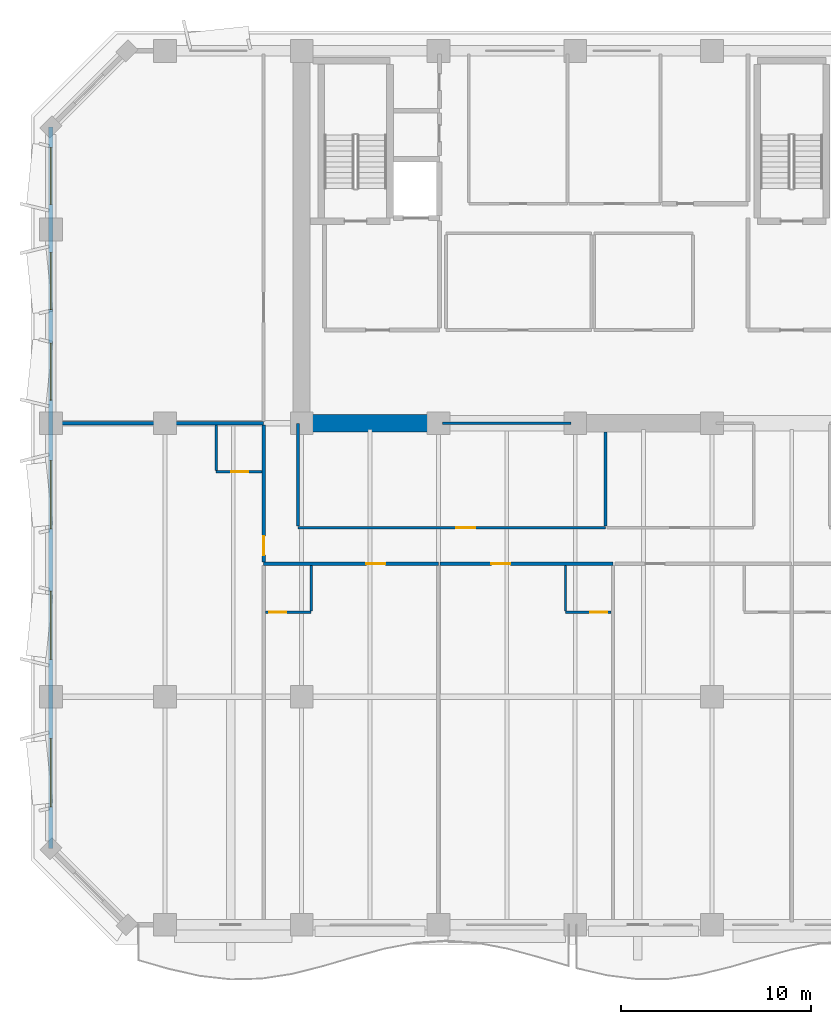
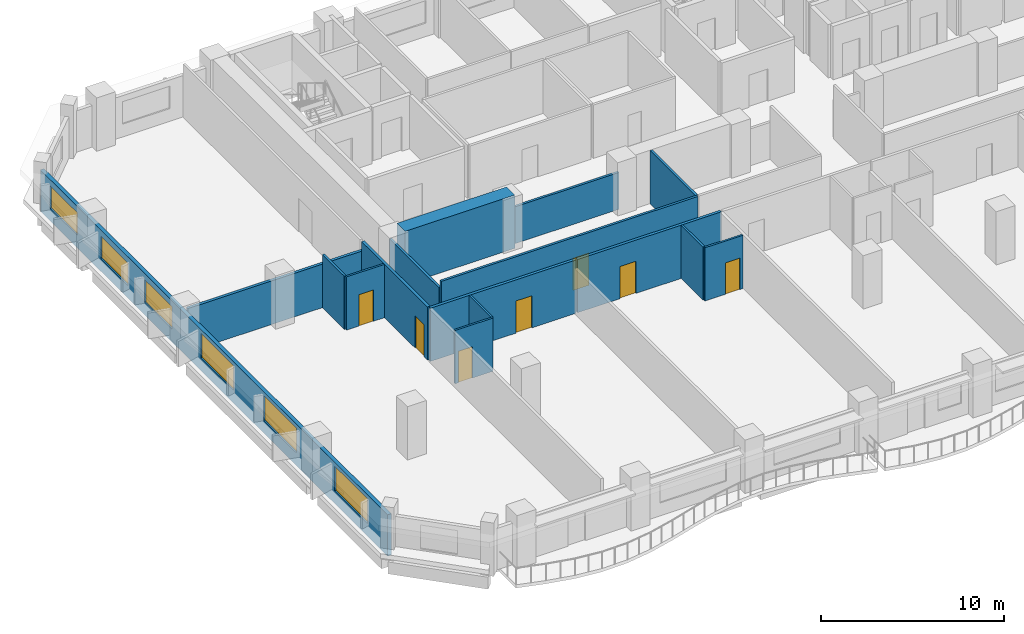
# One storey, part 4 of 14: 16 walls, 7 doors, 6 windows, 13 openings.
"""IFC4 building model written with IfcOpenShell, lengths in metres."""

from ifc_helpers import new_model, si_unit, direction, frame, frame_2d, origin, place, context, subcontext, project, spatial, rectangle, extrude, material, layer, layer_set, type_object, element, fill, save


model = new_model("IFC4")

# Units and contexts
model_context = context("Model", 3, precision=1e-05, world=origin(), true_north=direction((0.0, 1.0)))
body_context = subcontext(model_context, "Body", "Model", "MODEL_VIEW")
ifc_project = project(units=[si_unit("LENGTHUNIT", "METRE"), si_unit("AREAUNIT", "SQUARE_METRE"), si_unit("VOLUMEUNIT", "CUBIC_METRE"), si_unit("PLANEANGLEUNIT", "RADIAN"), si_unit("MASSUNIT", "GRAM", prefix="KILO")], contexts=[model_context])

# Site, building, storey
site_placement = place(None, origin())
site = spatial("IfcSite", under=ifc_project, at=site_placement, CompositionType="ELEMENT")
building_placement = place(site_placement, origin())
building = spatial("IfcBuilding", under=site, at=building_placement, Name="Kaelvorn Grand Hotel", CompositionType="ELEMENT")
storey_placement = place(building_placement, frame((0.0, 0.0, 190.14990234375)))
storey = spatial("IfcBuildingStorey", under=building, at=storey_placement, Name="L46", CompositionType="ELEMENT", Elevation=190.14990234375)

# Wall
ifc_material_1 = material(Name="Concrete C60/75", Category="concrete")
ifc_layer_1 = layer(ifc_material_1, 0.89990234375)
ifc_layer_set_1 = layer_set([ifc_layer_1], Name="Concrete C60/75")
wall_type_1 = type_object("IfcWallType", Name="WL-CORE-900-C60", PredefinedType="SHEAR", material=ifc_layer_set_1)
wall_1_placement = place(storey_placement, frame((16.655029296875, 29.39990234375, 0.0), z_axis=(0.0, 0.0, 1.0), x_axis=(1.0, 0.0, 0.0)))
element("IfcWall", 1, at=wall_1_placement, inside=storey, type_object=wall_type_1, Name="L46 Rear-Core Coupled Shear Pier S1", PredefinedType="SHEAR", context=body_context, shape_type="SweptSolid", body=[
    extrude(rectangle(XDim=6.945068359375, YDim=0.89990234375, at=frame_2d((3.47265625, 0.0))), origin(), (0.0, 0.0, 1.0), 3.56005859375),
])

# Wall, openings, windows
ifc_material_2 = material(Name="Concrete C40/50", Category="concrete")
ifc_layer_2 = layer(ifc_material_2, 0.239990234375)
ifc_layer_set_2 = layer_set([ifc_layer_2], Name="Concrete C40/50")
wall_type_2 = type_object("IfcWallType", Name="WL-EXT-240-C40", PredefinedType="SOLIDWALL", material=ifc_layer_set_2)
wall_2_placement = place(storey_placement, frame((3.0, 45.0, 0.0), z_axis=(0.0, 0.0, 1.0), x_axis=(0.0, -1.0, 0.0)))
wall_2 = element("IfcWall", 2, at=wall_2_placement, inside=storey, type_object=wall_type_2, Name="L46 Exterior Architectural Concrete Wall 07", PredefinedType="SOLIDWALL", context=body_context, shape_type="SweptSolid", body=[
    extrude(rectangle(XDim=38.0, YDim=0.239990234375, at=frame_2d((19.0, 0.0))), origin(), (0.0, 0.0, 1.0), 2.760009765625),
])
opening_1_placement = place(wall_2_placement, frame((32.199951171875, 0.0, 0.85009765625)))
opening_1 = element("IfcOpeningElement", 3, at=opening_1_placement, cuts=wall_2, Name="Opening W3", PredefinedType="OPENING", context=body_context, shape_type="SweptSolid", body=[
    extrude(rectangle(XDim=3.60009765625, YDim=1.64990234375, at=frame_2d((1.800048828125, 0.824951171875))), frame((0.0, 0.1298828125, 0.0), z_axis=(0.0, -1.0, 0.0), x_axis=(1.0, 0.0, 0.0)), (0.0, 0.0, 1.0), 0.260009765625),
])
opening_2_placement = place(wall_2_placement, frame((24.43505859375, 0.0, 0.85009765625)))
opening_2 = element("IfcOpeningElement", 4, at=opening_2_placement, cuts=wall_2, Name="Opening W3", PredefinedType="OPENING", context=body_context, shape_type="SweptSolid", body=[
    extrude(rectangle(XDim=3.60009765625, YDim=1.64990234375, at=frame_2d((1.800048828125, 0.824951171875))), frame((0.0, 0.1298828125, 0.0), z_axis=(0.0, -1.0, 0.0), x_axis=(1.0, 0.0, 0.0)), (0.0, 0.0, 1.0), 0.260009765625),
])
opening_3_placement = place(wall_2_placement, frame((17.56494140625, 0.0, 0.85009765625)))
opening_3 = element("IfcOpeningElement", 5, at=opening_3_placement, cuts=wall_2, Name="Opening W3", PredefinedType="OPENING", context=body_context, shape_type="SweptSolid", body=[
    extrude(rectangle(XDim=3.60009765625, YDim=1.64990234375, at=frame_2d((1.800048828125, 0.824951171875))), frame((0.0, 0.1298828125, 0.0), z_axis=(0.0, -1.0, 0.0), x_axis=(1.0, 0.0, 0.0)), (0.0, 0.0, 1.0), 0.260009765625),
])
opening_4_placement = place(wall_2_placement, frame((11.385009765625, 0.0, 0.85009765625)))
opening_4 = element("IfcOpeningElement", 6, at=opening_4_placement, cuts=wall_2, Name="Opening W5", PredefinedType="OPENING", context=body_context, shape_type="SweptSolid", body=[
    extrude(rectangle(XDim=3.0, YDim=1.5, at=frame_2d((1.5, 0.75))), frame((0.0, 0.1298828125, 0.0), z_axis=(0.0, -1.0, 0.0), x_axis=(1.0, 0.0, 0.0)), (0.0, 0.0, 1.0), 0.260009765625),
])
opening_5_placement = place(wall_2_placement, frame((6.614990234375, 0.0, 0.85009765625)))
opening_5 = element("IfcOpeningElement", 7, at=opening_5_placement, cuts=wall_2, Name="Opening W5", PredefinedType="OPENING", context=body_context, shape_type="SweptSolid", body=[
    extrude(rectangle(XDim=3.0, YDim=1.5, at=frame_2d((1.5, 0.75))), frame((0.0, 0.1298828125, 0.0), z_axis=(0.0, -1.0, 0.0), x_axis=(1.0, 0.0, 0.0)), (0.0, 0.0, 1.0), 0.260009765625),
])
opening_6_placement = place(wall_2_placement, frame((1.0849609375, 0.0, 0.85009765625)))
opening_6 = element("IfcOpeningElement", 8, at=opening_6_placement, cuts=wall_2, Name="Opening W5", PredefinedType="OPENING", context=body_context, shape_type="SweptSolid", body=[
    extrude(rectangle(XDim=3.0, YDim=1.5, at=frame_2d((1.5, 0.75))), frame((0.0, 0.1298828125, 0.0), z_axis=(0.0, -1.0, 0.0), x_axis=(1.0, 0.0, 0.0)), (0.0, 0.0, 1.0), 0.260009765625),
])
ifc_material_3 = material(Name="Laminated Low-E Glass", Category="glass")
window_type_1 = type_object("IfcWindowType", Name="WIN-NTH-3000x1500", PartitioningType="SINGLE_PANEL", PredefinedType="WINDOW", material=ifc_material_3)
window_1_placement = place(opening_4_placement, origin())
window_1 = element("IfcWindow", 9, at=window_1_placement, inside=storey, type_object=window_type_1, Name="L46 W Wing Tilted-Frame Ribbon Window W04", OverallHeight=1.5, OverallWidth=3.0, PartitioningType="SINGLE_PANEL", PredefinedType="WINDOW", context=body_context, shape_type="SweptSolid", body=[
    extrude(rectangle(XDim=3.0, YDim=1.5, at=frame_2d((1.5, 0.75))), frame((0.0, 0.030029296875, 0.0), z_axis=(0.0, -1.0, 0.0), x_axis=(1.0, 0.0, 0.0)), (0.0, 0.0, 1.0), 0.06005859375),
])
fill(opening_4, window_1)
window_2_placement = place(opening_5_placement, origin())
window_2 = element("IfcWindow", 10, at=window_2_placement, inside=storey, type_object=window_type_1, Name="L46 W Wing Tilted-Frame Ribbon Window W05", OverallHeight=1.5, OverallWidth=3.0, PartitioningType="SINGLE_PANEL", PredefinedType="WINDOW", context=body_context, shape_type="SweptSolid", body=[
    extrude(rectangle(XDim=3.0, YDim=1.5, at=frame_2d((1.5, 0.75))), frame((0.0, 0.030029296875, 0.0), z_axis=(0.0, -1.0, 0.0), x_axis=(1.0, 0.0, 0.0)), (0.0, 0.0, 1.0), 0.06005859375),
])
fill(opening_5, window_2)
window_3_placement = place(opening_6_placement, origin())
window_3 = element("IfcWindow", 11, at=window_3_placement, inside=storey, type_object=window_type_1, Name="L46 W Wing Tilted-Frame Ribbon Window W06", OverallHeight=1.5, OverallWidth=3.0, PartitioningType="SINGLE_PANEL", PredefinedType="WINDOW", context=body_context, shape_type="SweptSolid", body=[
    extrude(rectangle(XDim=3.0, YDim=1.5, at=frame_2d((1.5, 0.75))), frame((0.0, 0.030029296875, 0.0), z_axis=(0.0, -1.0, 0.0), x_axis=(1.0, 0.0, 0.0)), (0.0, 0.0, 1.0), 0.06005859375),
])
fill(opening_6, window_3)
window_type_2 = type_object("IfcWindowType", Name="WIN-RIB-3600x1750", PartitioningType="SINGLE_PANEL", PredefinedType="WINDOW", material=ifc_material_3)
window_4_placement = place(opening_1_placement, origin())
window_4 = element("IfcWindow", 12, at=window_4_placement, inside=storey, type_object=window_type_2, Name="L46 W Wing Tilted-Frame Ribbon Window W01", OverallHeight=1.64990234375, OverallWidth=3.60009765625, PartitioningType="SINGLE_PANEL", PredefinedType="WINDOW", context=body_context, shape_type="SweptSolid", body=[
    extrude(rectangle(XDim=3.60009765625, YDim=1.64990234375, at=frame_2d((1.800048828125, 0.824951171875))), frame((0.0, 0.030029296875, 0.0), z_axis=(0.0, -1.0, 0.0), x_axis=(1.0, 0.0, 0.0)), (0.0, 0.0, 1.0), 0.06005859375),
])
fill(opening_1, window_4)
window_5_placement = place(opening_2_placement, origin())
window_5 = element("IfcWindow", 13, at=window_5_placement, inside=storey, type_object=window_type_2, Name="L46 W Wing Tilted-Frame Ribbon Window W02", OverallHeight=1.64990234375, OverallWidth=3.60009765625, PartitioningType="SINGLE_PANEL", PredefinedType="WINDOW", context=body_context, shape_type="SweptSolid", body=[
    extrude(rectangle(XDim=3.60009765625, YDim=1.64990234375, at=frame_2d((1.800048828125, 0.824951171875))), frame((0.0, 0.030029296875, 0.0), z_axis=(0.0, -1.0, 0.0), x_axis=(1.0, 0.0, 0.0)), (0.0, 0.0, 1.0), 0.06005859375),
])
fill(opening_2, window_5)
window_6_placement = place(opening_3_placement, origin())
window_6 = element("IfcWindow", 14, at=window_6_placement, inside=storey, type_object=window_type_2, Name="L46 W Wing Tilted-Frame Ribbon Window W03", OverallHeight=1.64990234375, OverallWidth=3.60009765625, PartitioningType="SINGLE_PANEL", PredefinedType="WINDOW", context=body_context, shape_type="SweptSolid", body=[
    extrude(rectangle(XDim=3.60009765625, YDim=1.64990234375, at=frame_2d((1.800048828125, 0.824951171875))), frame((0.0, 0.030029296875, 0.0), z_axis=(0.0, -1.0, 0.0), x_axis=(1.0, 0.0, 0.0)), (0.0, 0.0, 1.0), 0.06005859375),
])
fill(opening_3, window_6)

# Wall, opening, door
ifc_material_4 = material(Name="Moisture-Resistant Tile & Stud Board")
ifc_layer_3 = layer(ifc_material_4, 0.125)
ifc_layer_set_3 = layer_set([ifc_layer_3], Name="Moisture-Resistant Tile & Stud Board")
wall_type_3 = type_object("IfcWallType", Name="WL-PART-125-WET", PredefinedType="PARTITIONING", material=ifc_layer_set_3)
wall_3_placement = place(storey_placement, frame((14.294921875, 19.449951171875, 0.0), z_axis=(0.0, 0.0, 1.0), x_axis=(1.0, 0.0, 0.0)))
wall_3 = element("IfcWall", 15, at=wall_3_placement, inside=storey, type_object=wall_type_3, Name="L46 En-suite Bathroom L46-01 S Partition", PredefinedType="PARTITIONING", context=body_context, shape_type="SweptSolid", body=[
    extrude(rectangle(XDim=2.405029296875, YDim=0.125, at=frame_2d((1.20263671875, 0.0))), origin(), (0.0, 0.0, 1.0), 3.56005859375),
])
opening_7_placement = place(wall_3_placement, frame((0.205078125, 0.0, 0.0)))
opening_7 = element("IfcOpeningElement", 16, at=opening_7_placement, cuts=wall_3, Name="Opening DI4", PredefinedType="OPENING", context=body_context, shape_type="SweptSolid", body=[
    extrude(rectangle(XDim=0.89990234375, YDim=2.10009765625, at=frame_2d((0.449951171875, 1.050048828125))), frame((0.0, 0.072509765625, 0.0), z_axis=(0.0, -1.0, 0.0), x_axis=(1.0, 0.0, 0.0)), (0.0, 0.0, 1.0), 0.14501953125),
])
ifc_material_5 = material(Name="Timber Veneer Leaf", Category="wood")
door_type_1 = type_object("IfcDoorType", Name="DR-INT-BATH-900x2100", OperationType="NOTDEFINED", PredefinedType="DOOR", material=ifc_material_5)
door_1_placement = place(opening_7_placement, origin())
door_1 = element("IfcDoor", 17, at=door_1_placement, inside=storey, type_object=door_type_1, Name="L46 En-suite Bathroom L46-01 Door", OperationType="SINGLE_SWING_RIGHT", OverallHeight=2.10009765625, OverallWidth=0.89990234375, PredefinedType="DOOR", context=body_context, shape_type="SweptSolid", body=[
    extrude(rectangle(XDim=0.89990234375, YDim=2.10009765625, at=frame_2d((0.449951171875, 1.050048828125))), frame((0.0, 0.02490234375, 0.0), z_axis=(0.0, -1.0, 0.0), x_axis=(1.0, 0.0, 0.0)), (0.0, 0.0, 1.0), 0.050048828125),
])
fill(opening_7, door_1)

# Wall
wall_4_placement = place(storey_placement, frame((16.699951171875, 19.517578125, 0.0), z_axis=(0.0, 0.0, 1.0), x_axis=(0.0, 1.0, 0.0)))
element("IfcWall", 18, at=wall_4_placement, inside=storey, type_object=wall_type_3, Name="L46 En-suite Bathroom L46-01 E Partition", PredefinedType="PARTITIONING", context=body_context, shape_type="SweptSolid", body=[
    extrude(rectangle(XDim=2.387451171875, YDim=0.125, at=frame_2d((1.19384765625, 0.0))), origin(), (0.0, 0.0, 1.0), 3.56005859375),
])

# Wall, opening, door
wall_5_placement = place(storey_placement, frame((30.0908203125, 19.449951171875, 0.0), z_axis=(0.0, 0.0, 1.0), x_axis=(1.0, 0.0, 0.0)))
wall_5 = element("IfcWall", 19, at=wall_5_placement, inside=storey, type_object=wall_type_3, Name="L46 En-suite Bathroom L46-02 S Partition", PredefinedType="PARTITIONING", context=body_context, shape_type="SweptSolid", body=[
    extrude(rectangle(XDim=2.405029296875, YDim=0.125, at=frame_2d((1.20263671875, 0.0))), origin(), (0.0, 0.0, 1.0), 3.56005859375),
])
opening_8_placement = place(wall_5_placement, frame((1.300048828125, 0.0, 0.0)))
opening_8 = element("IfcOpeningElement", 20, at=opening_8_placement, cuts=wall_5, Name="Opening DI4", PredefinedType="OPENING", context=body_context, shape_type="SweptSolid", body=[
    extrude(rectangle(XDim=0.89990234375, YDim=2.10009765625, at=frame_2d((0.449951171875, 1.050048828125))), frame((0.0, 0.072509765625, 0.0), z_axis=(0.0, -1.0, 0.0), x_axis=(1.0, 0.0, 0.0)), (0.0, 0.0, 1.0), 0.14501953125),
])
door_2_placement = place(opening_8_placement, origin())
door_2 = element("IfcDoor", 21, at=door_2_placement, inside=storey, type_object=door_type_1, Name="L46 En-suite Bathroom L46-02 Door", OperationType="SINGLE_SWING_RIGHT", OverallHeight=2.10009765625, OverallWidth=0.89990234375, PredefinedType="DOOR", context=body_context, shape_type="SweptSolid", body=[
    extrude(rectangle(XDim=0.89990234375, YDim=2.10009765625, at=frame_2d((0.449951171875, 1.050048828125))), frame((0.0, 0.02490234375, 0.0), z_axis=(0.0, -1.0, 0.0), x_axis=(1.0, 0.0, 0.0)), (0.0, 0.0, 1.0), 0.050048828125),
])
fill(opening_8, door_2)

# Wall
wall_6_placement = place(storey_placement, frame((30.0908203125, 19.517578125, 0.0), z_axis=(0.0, 0.0, 1.0), x_axis=(0.0, 1.0, 0.0)))
element("IfcWall", 22, at=wall_6_placement, inside=storey, type_object=wall_type_3, Name="L46 En-suite Bathroom L46-02 W Partition", PredefinedType="PARTITIONING", context=body_context, shape_type="SweptSolid", body=[
    extrude(rectangle(XDim=2.387451171875, YDim=0.125, at=frame_2d((1.19384765625, 0.0))), origin(), (0.0, 0.0, 1.0), 3.56005859375),
])

# Wall, opening, door
wall_7_placement = place(storey_placement, frame((11.699951171875, 26.85009765625, 0.0), z_axis=(0.0, 0.0, 1.0), x_axis=(1.0, 0.0, 0.0)))
wall_7 = element("IfcWall", 23, at=wall_7_placement, inside=storey, type_object=wall_type_3, Name="L46 En-suite Bathroom L46-07 S Partition", PredefinedType="PARTITIONING", context=body_context, shape_type="SweptSolid", body=[
    extrude(rectangle(XDim=2.405029296875, YDim=0.125, at=frame_2d((1.20263671875, 0.0))), origin(), (0.0, 0.0, 1.0), 3.56005859375),
])
opening_9_placement = place(wall_7_placement, frame((0.800048828125, 0.0, 0.0)))
opening_9 = element("IfcOpeningElement", 24, at=opening_9_placement, cuts=wall_7, Name="Opening DI4", PredefinedType="OPENING", context=body_context, shape_type="SweptSolid", body=[
    extrude(rectangle(XDim=0.89990234375, YDim=2.10009765625, at=frame_2d((0.449951171875, 1.050048828125))), frame((0.0, 0.072509765625, 0.0), z_axis=(0.0, -1.0, 0.0), x_axis=(1.0, 0.0, 0.0)), (0.0, 0.0, 1.0), 0.14501953125),
])
door_3_placement = place(opening_9_placement, origin())
door_3 = element("IfcDoor", 25, at=door_3_placement, inside=storey, type_object=door_type_1, Name="L46 En-suite Bathroom L46-07 Door", OperationType="SINGLE_SWING_RIGHT", OverallHeight=2.10009765625, OverallWidth=0.89990234375, PredefinedType="DOOR", context=body_context, shape_type="SweptSolid", body=[
    extrude(rectangle(XDim=0.89990234375, YDim=2.10009765625, at=frame_2d((0.449951171875, 1.050048828125))), frame((0.0, 0.02490234375, 0.0), z_axis=(0.0, -1.0, 0.0), x_axis=(1.0, 0.0, 0.0)), (0.0, 0.0, 1.0), 0.050048828125),
])
fill(opening_9, door_3)

# Wall
wall_8_placement = place(storey_placement, frame((11.699951171875, 26.91748046875, 0.0), z_axis=(0.0, 0.0, 1.0), x_axis=(0.0, 1.0, 0.0)))
element("IfcWall", 26, at=wall_8_placement, inside=storey, type_object=wall_type_3, Name="L46 En-suite Bathroom L46-07 W Partition", PredefinedType="PARTITIONING", context=body_context, shape_type="SweptSolid", body=[
    extrude(rectangle(XDim=2.387451171875, YDim=0.125, at=frame_2d((1.19384765625, 0.0))), origin(), (0.0, 0.0, 1.0), 3.56005859375),
])

# Wall, opening, door
ifc_material_6 = material(Name="Acoustic Gypsum & Stud Partition")
ifc_layer_4 = layer(ifc_material_6, 0.14990234375)
ifc_layer_set_4 = layer_set([ifc_layer_4], Name="Acoustic Gypsum & Stud Partition")
wall_type_4 = type_object("IfcWallType", Name="WL-PART-150-EI60", PredefinedType="PARTITIONING", material=ifc_layer_set_4)
wall_9_placement = place(storey_placement, frame((16.0, 23.89990234375, 0.0), z_axis=(0.0, 0.0, 1.0), x_axis=(1.0, 0.0, 0.0)))
wall_9 = element("IfcWall", 27, at=wall_9_placement, inside=storey, type_object=wall_type_4, Name="L46 Art Gallery Salon S Partition", PredefinedType="PARTITIONING", context=body_context, shape_type="SweptSolid", body=[
    extrude(rectangle(XDim=16.199951171875, YDim=0.14990234375, at=frame_2d((8.10009765625, 0.0))), origin(), (0.0, 0.0, 1.0), 3.56005859375),
])
opening_10_placement = place(wall_9_placement, frame((8.35009765625, 0.0, 0.0)))
opening_10 = element("IfcOpeningElement", 28, at=opening_10_placement, cuts=wall_9, Name="Opening DI3", PredefinedType="OPENING", context=body_context, shape_type="SweptSolid", body=[
    extrude(rectangle(XDim=1.0, YDim=2.14990234375, at=frame_2d((0.5, 1.074951171875))), frame((0.0, 0.0849609375, 0.0), z_axis=(0.0, -1.0, 0.0), x_axis=(1.0, 0.0, 0.0)), (0.0, 0.0, 1.0), 0.169921875),
])
ifc_material_7 = material(Name="Timber Veneer Fire Leaf", Category="wood")
door_type_2 = type_object("IfcDoorType", Name="DR-INT-GUEST-1000x2150", OperationType="NOTDEFINED", PredefinedType="DOOR", material=ifc_material_7)
door_4_placement = place(opening_10_placement, origin())
door_4 = element("IfcDoor", 29, at=door_4_placement, inside=storey, type_object=door_type_2, Name="L46 Art Gallery Salon Door", OperationType="SINGLE_SWING_LEFT", OverallHeight=2.14990234375, OverallWidth=1.0, PredefinedType="DOOR", context=body_context, shape_type="SweptSolid", body=[
    extrude(rectangle(XDim=1.0, YDim=2.14990234375, at=frame_2d((0.5, 1.074951171875))), frame((0.0, 0.02490234375, 0.0), z_axis=(0.0, -1.0, 0.0), x_axis=(1.0, 0.0, 0.0)), (0.0, 0.0, 1.0), 0.050048828125),
])
fill(opening_10, door_4)

# Walls
wall_10_placement = place(storey_placement, frame((23.610107421875, 29.39990234375, 0.0), z_axis=(0.0, 0.0, 1.0), x_axis=(1.0, 0.0, 0.0)))
element("IfcWall", 30, at=wall_10_placement, inside=storey, type_object=wall_type_4, Name="L46 Art Gallery Salon N Partition", PredefinedType="PARTITIONING", context=body_context, shape_type="SweptSolid", body=[
    extrude(rectangle(XDim=6.77978515625, YDim=0.14990234375, at=frame_2d((3.389892578125, 0.0))), origin(), (0.0, 0.0, 1.0), 2.460205078125),
])
wall_11_placement = place(storey_placement, frame((16.0, 23.97998046875, 0.0), z_axis=(0.0, 0.0, 1.0), x_axis=(0.0, 1.0, 0.0)))
element("IfcWall", 31, at=wall_11_placement, inside=storey, type_object=wall_type_4, Name="L46 Art Gallery Salon W Partition", PredefinedType="PARTITIONING", context=body_context, shape_type="SweptSolid", body=[
    extrude(rectangle(XDim=5.409912109375, YDim=0.14990234375, at=frame_2d((2.705078125, 0.0))), origin(), (0.0, 0.0, 1.0), 3.06005859375),
])
wall_12_placement = place(storey_placement, frame((32.199951171875, 23.97998046875, 0.0), z_axis=(0.0, 0.0, 1.0), x_axis=(0.0, 1.0, 0.0)))
element("IfcWall", 32, at=wall_12_placement, inside=storey, type_object=wall_type_4, Name="L46 Art Gallery Salon E Partition", PredefinedType="PARTITIONING", context=body_context, shape_type="SweptSolid", body=[
    extrude(rectangle(XDim=4.965087890625, YDim=0.14990234375, at=frame_2d((2.482421875, 0.0))), origin(), (0.0, 0.0, 1.0), 3.56005859375),
])

# Wall, opening, door
ifc_layer_5 = layer(ifc_material_6, 0.179931640625)
ifc_layer_set_5 = layer_set([ifc_layer_5], Name="Acoustic Gypsum & Stud Partition")
wall_type_5 = type_object("IfcWallType", Name="WL-PART-180-EI60", PredefinedType="PARTITIONING", material=ifc_layer_set_5)
wall_13_placement = place(storey_placement, frame((14.199951171875, 22.0, 0.0), z_axis=(0.0, 0.0, 1.0), x_axis=(1.0, 0.0, 0.0)))
wall_13 = element("IfcWall", 33, at=wall_13_placement, inside=storey, type_object=wall_type_5, Name="L46 Mid-Rise Signature Suite L46-01 N Partition", PredefinedType="PARTITIONING", context=body_context, shape_type="SweptSolid", body=[
    extrude(rectangle(XDim=9.195556640625, YDim=0.179931640625, at=frame_2d((4.59765625, 0.0))), origin(), (0.0, 0.0, 1.0), 3.56005859375),
])
opening_11_placement = place(wall_13_placement, frame((5.409912109375, 0.0, 0.0)))
opening_11 = element("IfcOpeningElement", 34, at=opening_11_placement, cuts=wall_13, Name="Opening DI3", PredefinedType="OPENING", context=body_context, shape_type="SweptSolid", body=[
    extrude(rectangle(XDim=1.0, YDim=2.14990234375, at=frame_2d((0.5, 1.074951171875))), frame((0.0, 0.10009765625, 0.0), z_axis=(0.0, -1.0, 0.0), x_axis=(1.0, 0.0, 0.0)), (0.0, 0.0, 1.0), 0.199951171875),
])
door_5_placement = place(opening_11_placement, origin())
door_5 = element("IfcDoor", 35, at=door_5_placement, inside=storey, type_object=door_type_2, Name="L46 Mid-Rise Signature Suite L46-01 Door", OperationType="SINGLE_SWING_LEFT", OverallHeight=2.14990234375, OverallWidth=1.0, PredefinedType="DOOR", context=body_context, shape_type="SweptSolid", body=[
    extrude(rectangle(XDim=1.0, YDim=2.14990234375, at=frame_2d((0.5, 1.074951171875))), frame((0.0, 0.02490234375, 0.0), z_axis=(0.0, -1.0, 0.0), x_axis=(1.0, 0.0, 0.0)), (0.0, 0.0, 1.0), 0.050048828125),
])
fill(opening_11, door_5)

wall_14_placement = place(storey_placement, frame((23.490478515625, 22.0, 0.0), z_axis=(0.0, 0.0, 1.0), x_axis=(1.0, 0.0, 0.0)))
wall_14 = element("IfcWall", 36, at=wall_14_placement, inside=storey, type_object=wall_type_5, Name="L46 Mid-Rise Signature Suite L46-02 N Partition", PredefinedType="PARTITIONING", context=body_context, shape_type="SweptSolid", body=[
    extrude(rectangle(XDim=9.100341796875, YDim=0.179931640625, at=frame_2d((4.55029296875, 0.0))), origin(), (0.0, 0.0, 1.0), 3.56005859375),
])
opening_12_placement = place(wall_14_placement, frame((2.695068359375, 0.0, 0.0)))
opening_12 = element("IfcOpeningElement", 37, at=opening_12_placement, cuts=wall_14, Name="Opening DI3", PredefinedType="OPENING", context=body_context, shape_type="SweptSolid", body=[
    extrude(rectangle(XDim=1.0, YDim=2.14990234375, at=frame_2d((0.5, 1.074951171875))), frame((0.0, 0.10009765625, 0.0), z_axis=(0.0, -1.0, 0.0), x_axis=(1.0, 0.0, 0.0)), (0.0, 0.0, 1.0), 0.199951171875),
])
door_6_placement = place(opening_12_placement, origin())
door_6 = element("IfcDoor", 38, at=door_6_placement, inside=storey, type_object=door_type_2, Name="L46 Mid-Rise Signature Suite L46-02 Door", OperationType="SINGLE_SWING_LEFT", OverallHeight=2.14990234375, OverallWidth=1.0, PredefinedType="DOOR", context=body_context, shape_type="SweptSolid", body=[
    extrude(rectangle(XDim=1.0, YDim=2.14990234375, at=frame_2d((0.5, 1.074951171875))), frame((0.0, 0.02490234375, 0.0), z_axis=(0.0, -1.0, 0.0), x_axis=(1.0, 0.0, 0.0)), (0.0, 0.0, 1.0), 0.050048828125),
])
fill(opening_12, door_6)

# Wall
wall_15_placement = place(storey_placement, frame((3.14990234375, 29.39990234375, 0.0), z_axis=(0.0, 0.0, 1.0), x_axis=(1.0, 0.0, 0.0)))
element("IfcWall", 39, at=wall_15_placement, inside=storey, type_object=wall_type_5, Name="L46 Presidential Sky Suite L46-07 N Partition", PredefinedType="PARTITIONING", context=body_context, shape_type="SweptSolid", body=[
    extrude(rectangle(XDim=11.050048828125, YDim=0.179931640625, at=frame_2d((5.52490234375, 0.0))), origin(), (0.0, 0.0, 1.0), 2.91015625),
])

# Wall, opening, door
wall_16_placement = place(storey_placement, frame((14.199951171875, 22.094970703125, 0.0), z_axis=(0.0, 0.0, 1.0), x_axis=(0.0, 1.0, 0.0)))
wall_16 = element("IfcWall", 40, at=wall_16_placement, inside=storey, type_object=wall_type_5, Name="L46 Presidential Sky Suite L46-07 E Partition", PredefinedType="PARTITIONING", context=body_context, shape_type="SweptSolid", body=[
    extrude(rectangle(XDim=7.2099609375, YDim=0.179931640625, at=frame_2d((3.60498046875, 0.0))), origin(), (0.0, 0.0, 1.0), 3.56005859375),
])
opening_13_placement = place(wall_16_placement, frame((0.35498046875, 0.0, 0.0)))
opening_13 = element("IfcOpeningElement", 41, at=opening_13_placement, cuts=wall_16, Name="Opening DI3", PredefinedType="OPENING", context=body_context, shape_type="SweptSolid", body=[
    extrude(rectangle(XDim=1.0, YDim=2.14990234375, at=frame_2d((0.5, 1.074951171875))), frame((0.0, 0.10009765625, 0.0), z_axis=(0.0, -1.0, 0.0), x_axis=(1.0, 0.0, 0.0)), (0.0, 0.0, 1.0), 0.199951171875),
])
door_7_placement = place(opening_13_placement, origin())
door_7 = element("IfcDoor", 42, at=door_7_placement, inside=storey, type_object=door_type_2, Name="L46 Presidential Sky Suite L46-07 Door", OperationType="SINGLE_SWING_LEFT", OverallHeight=2.14990234375, OverallWidth=1.0, PredefinedType="DOOR", context=body_context, shape_type="SweptSolid", body=[
    extrude(rectangle(XDim=1.0, YDim=2.14990234375, at=frame_2d((0.5, 1.074951171875))), frame((0.0, 0.02490234375, 0.0), z_axis=(0.0, -1.0, 0.0), x_axis=(1.0, 0.0, 0.0)), (0.0, 0.0, 1.0), 0.050048828125),
])
fill(opening_13, door_7)

save(model, "model.ifc")
